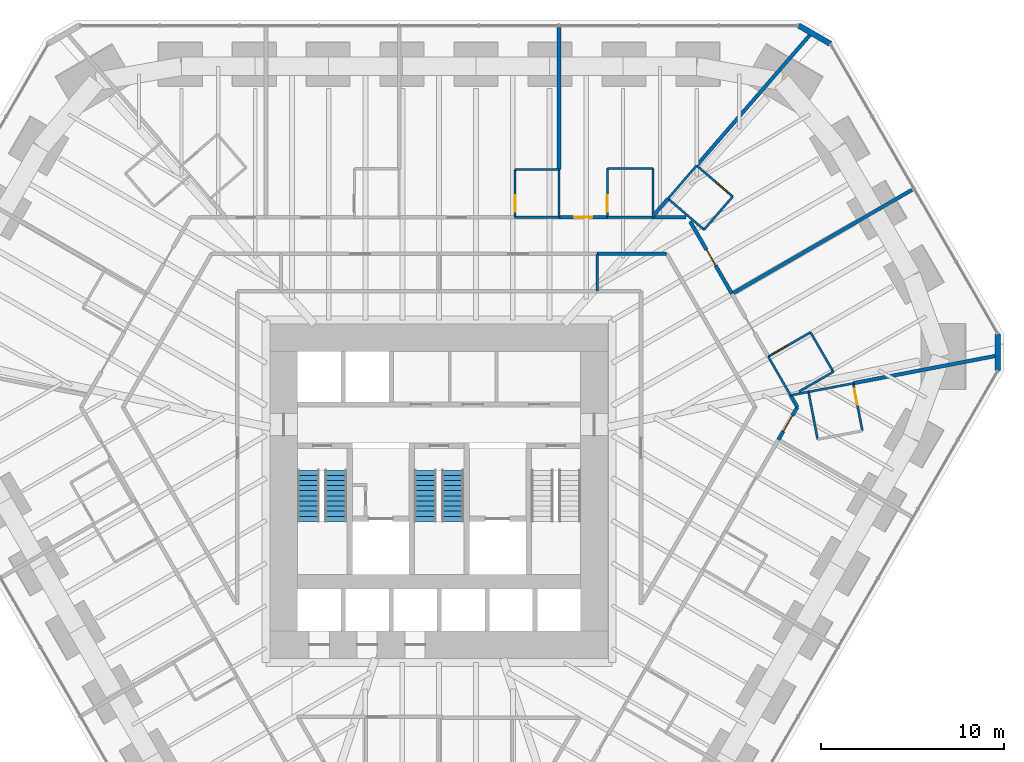
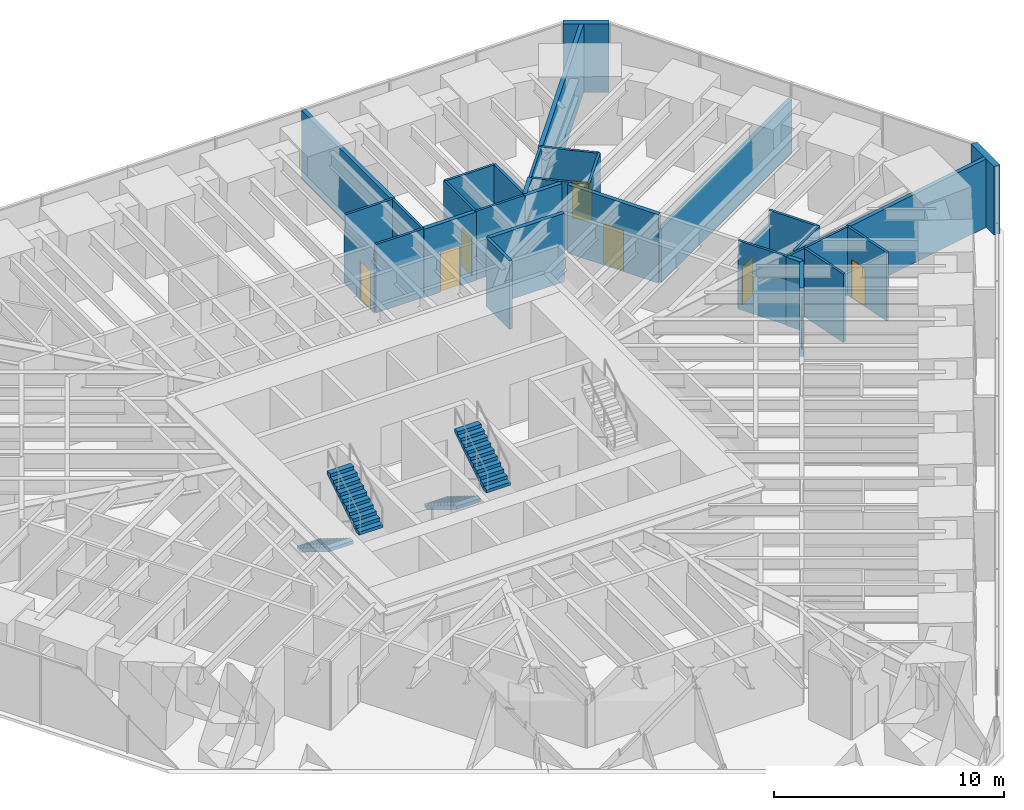
# One storey, part 15 of 17: 34 walls, 8 doors, 4 stair flights, 8 openings, 2 elements without a shape of their own.
"""IFC4 building model written with IfcOpenShell, lengths in metres."""

from ifc_helpers import new_model, si_unit, direction, frame, frame_2d, origin, place, context, subcontext, project, spatial, polyline, rectangle, outline, extrude, material, layer, layer_set, type_object, element, fill, aggregate, save


model = new_model("IFC4")

# Units and contexts
model_context = context("Model", 3, precision=1e-05, world=origin(), true_north=direction((0.0, 1.0)))
body_context = subcontext(model_context, "Body", "Model", "MODEL_VIEW")
ifc_project = project(units=[si_unit("LENGTHUNIT", "METRE"), si_unit("AREAUNIT", "SQUARE_METRE"), si_unit("VOLUMEUNIT", "CUBIC_METRE"), si_unit("PLANEANGLEUNIT", "RADIAN"), si_unit("MASSUNIT", "GRAM", prefix="KILO")], contexts=[model_context])

# Site, building, storey
site_placement = place(None, origin())
site = spatial("IfcSite", under=ifc_project, at=site_placement, CompositionType="ELEMENT")
building_placement = place(site_placement, origin())
building = spatial("IfcBuilding", under=site, at=building_placement, Name="Sandreach Pilgrim Tower", CompositionType="ELEMENT")
storey_placement = place(building_placement, frame((0.0, 0.0, 80.0)))
storey = spatial("IfcBuildingStorey", under=building, at=storey_placement, Name="L19", CompositionType="ELEMENT", Elevation=80.0)

# Wall
ifc_material_1 = material(Name="Gypsum board on steel studs", Category="steel")
ifc_layer_1 = layer(ifc_material_1, 0.14990234375)
ifc_layer_set_1 = layer_set([ifc_layer_1], Name="Back of house wall 150")
wall_type_1 = type_object("IfcWallType", Name="Back of house wall 150", PredefinedType="PARTITIONING", material=ifc_layer_set_1)
wall_1_placement = place(storey_placement, frame((8.64990234375, 11.449951171875, 0.0), z_axis=(0.0, 0.0, 1.0), x_axis=(0.0, -1.0, 0.0)))
element("IfcWall", 1, at=wall_1_placement, inside=storey, type_object=wall_type_1, Name="Back of house wall L19-103", PredefinedType="PARTITIONING", context=body_context, shape_type="SweptSolid", body=[
    extrude(rectangle(XDim=2.050048828125, YDim=0.14990234375, at=frame_2d((1.02490234375, 0.0))), origin(), (0.0, 0.0, 1.0), 3.639892578125),
])

# Wall, opening, door
ifc_material_2 = material(Name="Moisture-resistant gypsum board on steel studs", Category="steel")
ifc_layer_2 = layer(ifc_material_2, 0.1201171875)
ifc_layer_set_2 = layer_set([ifc_layer_2], Name="Bathroom partition 120")
wall_type_2 = type_object("IfcWallType", Name="Bathroom partition 120", PredefinedType="PARTITIONING", material=ifc_layer_set_2)
wall_2_placement = place(storey_placement, frame((4.159912109375, 16.070068359375, 0.0), z_axis=(0.0, 0.0, 1.0), x_axis=(0.0, -1.0, 0.0)))
wall_2 = element("IfcWall", 2, at=wall_2_placement, inside=storey, type_object=wall_type_2, Name="Bathroom partition L19-085", PredefinedType="PARTITIONING", context=body_context, shape_type="SweptSolid", body=[
    extrude(rectangle(XDim=2.6201171875, YDim=0.1201171875, at=frame_2d((1.31005859375, 0.0))), origin(), (0.0, 0.0, 1.0), 2.8779296875),
])
opening_1_placement = place(wall_2_placement, frame((1.419921875, 0.0, 0.0)))
opening_1 = element("IfcOpeningElement", 3, at=opening_1_placement, cuts=wall_2, Name="Opening D09-03B", PredefinedType="OPENING", context=body_context, shape_type="SweptSolid", body=[
    extrude(rectangle(XDim=0.89990234375, YDim=2.030029296875, at=frame_2d((0.449951171875, 1.01513671875))), frame((0.0, 0.06005859375, 0.0), z_axis=(0.0, -1.0, 0.0), x_axis=(1.0, 0.0, 0.0)), (0.0, 0.0, 1.0), 0.1201171875),
])
ifc_material_3 = material(Name="Timber door, steel frame", Category="steel")
door_type_1 = type_object("IfcDoorType", Name="Bathroom door", OperationType="SINGLE_SWING_LEFT", PredefinedType="DOOR", material=ifc_material_3)
door_1_placement = place(opening_1_placement, origin())
door_1 = element("IfcDoor", 4, at=door_1_placement, inside=storey, type_object=door_type_1, Name="Door 1903B", OperationType="SINGLE_SWING_RIGHT", OverallHeight=2.030029296875, OverallWidth=0.89990234375, PredefinedType="DOOR", context=body_context, shape_type="SweptSolid", body=[
    extrude(rectangle(XDim=0.89990234375, YDim=2.030029296875, at=frame_2d((0.449951171875, 1.01513671875))), frame((0.0, 0.02490234375, 0.0), z_axis=(0.0, -1.0, 0.0), x_axis=(1.0, 0.0, 0.0)), (0.0, 0.0, 1.0), 0.050048828125),
])
fill(opening_1, door_1)

# Walls
for number, where, z_axis, x_axis, name in (
    (5, (6.56005859375, 13.449951171875, 0.0), (0.0, 0.0, 1.0), (-1.0, 0.0, 0.0), "Bathroom partition L19-090"),
    (6, (6.56005859375, 16.070068359375, 0.0), (0.0, 0.0, 1.0), (-1.0, 0.0, 0.0), "Bathroom partition L19-091"),
):
    element("IfcWall", number, at=place(storey_placement, frame(where, z_axis=z_axis, x_axis=x_axis)), inside=storey, type_object=wall_type_2, Name=name, PredefinedType="PARTITIONING", context=body_context, shape_type="SweptSolid", body=[
        extrude(rectangle(XDim=2.400146484375, YDim=0.1201171875, at=frame_2d((1.2001953125, 0.0))), origin(), (0.0, 0.0, 1.0), 3.639892578125),
    ])
wall_3_placement = place(storey_placement, frame((6.56005859375, 16.070068359375, 0.0), z_axis=(0.0, 0.0, 1.0), x_axis=(0.0, -1.0, 0.0)))
element("IfcWall", 7, at=wall_3_placement, inside=storey, type_object=wall_type_2, Name="Bathroom partition L19-092", PredefinedType="PARTITIONING", context=body_context, shape_type="SweptSolid", body=[
    extrude(rectangle(XDim=2.6201171875, YDim=0.1201171875, at=frame_2d((1.31005859375, 0.0))), origin(), (0.0, 0.0, 1.0), 3.639892578125),
])

# Wall, opening, door
wall_4_placement = place(storey_placement, frame((9.2099609375, 16.1201171875, 0.0), z_axis=(0.0, 0.0, 1.0), x_axis=(0.0, -1.0, 0.0)))
wall_4 = element("IfcWall", 8, at=wall_4_placement, inside=storey, type_object=wall_type_2, Name="Bathroom partition L19-107", PredefinedType="PARTITIONING", context=body_context, shape_type="SweptSolid", body=[
    extrude(rectangle(XDim=2.670166015625, YDim=0.1201171875, at=frame_2d((1.3349609375, 0.0))), origin(), (0.0, 0.0, 1.0), 3.639892578125),
])
opening_2_placement = place(wall_4_placement, frame((1.469970703125, 0.0, 0.0)))
opening_2 = element("IfcOpeningElement", 9, at=opening_2_placement, cuts=wall_4, Name="Opening D09-04B", PredefinedType="OPENING", context=body_context, shape_type="SweptSolid", body=[
    extrude(rectangle(XDim=0.89990234375, YDim=2.030029296875, at=frame_2d((0.449951171875, 1.01513671875))), frame((0.0, 0.06005859375, 0.0), z_axis=(0.0, -1.0, 0.0), x_axis=(1.0, 0.0, 0.0)), (0.0, 0.0, 1.0), 0.1201171875),
])
door_2_placement = place(opening_2_placement, origin())
door_2 = element("IfcDoor", 10, at=door_2_placement, inside=storey, type_object=door_type_1, Name="Door 1904B", OperationType="SINGLE_SWING_RIGHT", OverallHeight=2.030029296875, OverallWidth=0.89990234375, PredefinedType="DOOR", context=body_context, shape_type="SweptSolid", body=[
    extrude(rectangle(XDim=0.89990234375, YDim=2.030029296875, at=frame_2d((0.449951171875, 1.01513671875))), frame((0.0, 0.02490234375, 0.0), z_axis=(0.0, -1.0, 0.0), x_axis=(1.0, 0.0, 0.0)), (0.0, 0.0, 1.0), 0.050048828125),
])
fill(opening_2, door_2)

# Walls
wall_5_placement = place(storey_placement, frame((11.64990234375, 13.449951171875, 0.0), z_axis=(0.0, 0.0, 1.0), x_axis=(-1.0, 0.0, 0.0)))
element("IfcWall", 11, at=wall_5_placement, inside=storey, type_object=wall_type_2, Name="Bathroom partition L19-114", PredefinedType="PARTITIONING", context=body_context, shape_type="SweptSolid", body=[
    extrude(rectangle(XDim=2.43994140625, YDim=0.1201171875, at=frame_2d((1.219970703125, 0.0))), origin(), (0.0, 0.0, 1.0), 3.639892578125),
])
wall_6_placement = place(storey_placement, frame((11.7099609375, 13.60498046875, 0.0), z_axis=(0.0, 0.0, 1.0), x_axis=(0.0, 1.0, 0.0)))
element("IfcWall", 12, at=wall_6_placement, inside=storey, type_object=wall_type_2, Name="Bathroom partition L19-115", PredefinedType="PARTITIONING", context=body_context, shape_type="SweptSolid", body=[
    extrude(rectangle(XDim=2.51513671875, YDim=0.1201171875, at=frame_2d((1.257568359375, 0.0))), origin(), (0.0, 0.0, 1.0), 3.639892578125),
])
wall_7_placement = place(storey_placement, frame((11.7099609375, 16.1201171875, 0.0), z_axis=(0.0, 0.0, 1.0), x_axis=(-1.0, 0.0, 0.0)))
element("IfcWall", 13, at=wall_7_placement, inside=storey, type_object=wall_type_2, Name="Bathroom partition L19-116", PredefinedType="PARTITIONING", context=body_context, shape_type="SweptSolid", body=[
    extrude(rectangle(XDim=2.5, YDim=0.1201171875, at=frame_2d((1.25, 0.0))), origin(), (0.0, 0.0, 1.0), 3.639892578125),
])
wall_8_placement = place(storey_placement, frame((12.530029296875, 14.469970703125, 0.0), z_axis=(0.0, 0.0, 1.0), x_axis=(0.655194291402, 0.755460416245, 0.0)))
element("IfcWall", 14, at=wall_8_placement, inside=storey, type_object=wall_type_2, Name="Bathroom partition L19-120", PredefinedType="PARTITIONING", context=body_context, shape_type="SweptSolid", body=[
    extrude(rectangle(XDim=2.39599609375, YDim=0.1201171875, at=frame_2d((1.197998046875, 0.0))), origin(), (0.0, 0.0, 1.0), 3.639892578125),
])
wall_9_placement = place(storey_placement, frame((12.530029296875, 14.469970703125, 0.0), z_axis=(0.0, 0.0, 1.0), x_axis=(0.757086659925, -0.653314464377, 0.0)))
element("IfcWall", 15, at=wall_9_placement, inside=storey, type_object=wall_type_2, Name="Bathroom partition L19-121", PredefinedType="PARTITIONING", context=body_context, shape_type="SweptSolid", body=[
    extrude(rectangle(XDim=2.60205078125, YDim=0.1201171875, at=frame_2d((1.301025390625, 0.0))), origin(), (0.0, 0.0, 1.0), 3.639892578125),
])
wall_10_placement = place(storey_placement, frame((14.5, 12.77001953125, 0.0), z_axis=(0.0, 0.0, 1.0), x_axis=(0.655252439976, 0.755409981338, 0.0)))
element("IfcWall", 16, at=wall_10_placement, inside=storey, type_object=wall_type_2, Name="Bathroom partition L19-127", PredefinedType="PARTITIONING", context=body_context, shape_type="SweptSolid", body=[
    extrude(rectangle(XDim=2.396240234375, YDim=0.1201171875, at=frame_2d((1.1982421875, 0.0))), origin(), (0.0, 0.0, 1.0), 3.639892578125),
])

# Wall, opening, door
wall_11_placement = place(storey_placement, frame((16.070068359375, 14.580078125, 0.0), z_axis=(0.0, 0.0, 1.0), x_axis=(-0.757086659925, 0.653314464377, 0.0)))
wall_11 = element("IfcWall", 17, at=wall_11_placement, inside=storey, type_object=wall_type_2, Name="Bathroom partition L19-131", PredefinedType="PARTITIONING", context=body_context, shape_type="SweptSolid", body=[
    extrude(rectangle(XDim=2.60205078125, YDim=0.1201171875, at=frame_2d((1.301025390625, 0.0))), origin(), (0.0, 0.0, 1.0), 3.639892578125),
])
opening_3_placement = place(wall_11_placement, frame((0.300048828125, 0.0, 0.0)))
opening_3 = element("IfcOpeningElement", 18, at=opening_3_placement, cuts=wall_11, Name="Opening D09-05B", PredefinedType="OPENING", context=body_context, shape_type="SweptSolid", body=[
    extrude(rectangle(XDim=0.89990234375, YDim=2.030029296875, at=frame_2d((0.449951171875, 1.01513671875))), frame((0.0, 0.06005859375, 0.0), z_axis=(0.0, -1.0, 0.0), x_axis=(1.0, 0.0, 0.0)), (0.0, 0.0, 1.0), 0.1201171875),
])
door_3_placement = place(opening_3_placement, origin())
door_3 = element("IfcDoor", 19, at=door_3_placement, inside=storey, type_object=door_type_1, Name="Door 1905B", OperationType="SINGLE_SWING_LEFT", OverallHeight=2.030029296875, OverallWidth=0.89990234375, PredefinedType="DOOR", context=body_context, shape_type="SweptSolid", body=[
    extrude(rectangle(XDim=0.89990234375, YDim=2.030029296875, at=frame_2d((0.449951171875, 1.01513671875))), frame((0.0, 0.02490234375, 0.0), z_axis=(0.0, -1.0, 0.0), x_axis=(1.0, 0.0, 0.0)), (0.0, 0.0, 1.0), 0.050048828125),
])
fill(opening_3, door_3)

# Walls
wall_12_placement = place(storey_placement, frame((18.017578125, 5.818603515625, 0.0), z_axis=(0.0, 0.0, 1.0), x_axis=(0.499757016066, -0.866165645181, 0.0)))
element("IfcWall", 20, at=wall_12_placement, inside=storey, type_object=wall_type_2, Name="Bathroom partition L19-137", PredefinedType="PARTITIONING", context=body_context, shape_type="SweptSolid", body=[
    extrude(rectangle(XDim=2.446044921875, YDim=0.1201171875, at=frame_2d((1.22314453125, 0.0))), origin(), (0.0, 0.0, 1.0), 3.639892578125),
])
wall_13_placement = place(storey_placement, frame((19.2744140625, 3.706787109375, 0.0), z_axis=(0.0, 0.0, 1.0), x_axis=(0.980619649475, 0.195921165429, 0.0)))
element("IfcWall", 21, at=wall_13_placement, inside=storey, type_object=wall_type_2, Name="Bathroom partition L19-140", PredefinedType="PARTITIONING", context=body_context, shape_type="SweptSolid", body=[
    extrude(rectangle(XDim=0.963134765625, YDim=0.1201171875, at=frame_2d((0.4814453125, 0.0))), origin(), (0.0, 0.0, 1.0), 3.639892578125),
])
wall_14_placement = place(storey_placement, frame((19.708984375, 3.912109375, 0.0), z_axis=(0.0, 0.0, 1.0), x_axis=(0.86650539461, 0.499167708403, 0.0)))
element("IfcWall", 22, at=wall_14_placement, inside=storey, type_object=wall_type_2, Name="Bathroom partition L19-141", PredefinedType="PARTITIONING", context=body_context, shape_type="SweptSolid", body=[
    extrude(rectangle(XDim=2.159423828125, YDim=0.1201171875, at=frame_2d((1.07958984375, 0.0))), origin(), (0.0, 0.0, 1.0), 3.639892578125),
])
wall_15_placement = place(storey_placement, frame((20.219970703125, 3.889892578125, 0.0), z_axis=(0.0, 0.0, 1.0), x_axis=(0.18885765444, -0.982004473696, 0.0)))
element("IfcWall", 23, at=wall_15_placement, inside=storey, type_object=wall_type_2, Name="Bathroom partition L19-142", PredefinedType="PARTITIONING", context=body_context, shape_type="SweptSolid", body=[
    extrude(rectangle(XDim=2.6474609375, YDim=0.1201171875, at=frame_2d((1.32373046875, 0.0))), origin(), (0.0, 0.0, 1.0), 3.639892578125),
])
wall_16_placement = place(storey_placement, frame((20.219970703125, 3.889892578125, 0.0), z_axis=(0.0, 0.0, 1.0), x_axis=(0.982075487059, 0.1884880307, 0.0)))
element("IfcWall", 24, at=wall_16_placement, inside=storey, type_object=wall_type_2, Name="Bathroom partition L19-143", PredefinedType="PARTITIONING", context=body_context, shape_type="SweptSolid", body=[
    extrude(rectangle(XDim=2.49462890625, YDim=0.1201171875, at=frame_2d((1.247314453125, 0.0))), origin(), (0.0, 0.0, 1.0), 3.639892578125),
])

# Wall, opening, door
wall_17_placement = place(storey_placement, frame((20.330078125, 7.14990234375, 0.0), z_axis=(0.0, 0.0, 1.0), x_axis=(-0.866654860089, -0.498908161372, 0.0)))
wall_17 = element("IfcWall", 25, at=wall_17_placement, inside=storey, type_object=wall_type_2, Name="Bathroom partition L19-144", PredefinedType="PARTITIONING", context=body_context, shape_type="SweptSolid", body=[
    extrude(rectangle(XDim=2.66552734375, YDim=0.1201171875, at=frame_2d((1.332763671875, 0.0))), origin(), (0.0, 0.0, 1.0), 2.8779296875),
])
opening_4_placement = place(wall_17_placement, frame((1.465576171875, 0.0, 0.0)))
opening_4 = element("IfcOpeningElement", 26, at=opening_4_placement, cuts=wall_17, Name="Opening D09-06B", PredefinedType="OPENING", context=body_context, shape_type="SweptSolid", body=[
    extrude(rectangle(XDim=0.89990234375, YDim=2.030029296875, at=frame_2d((0.449951171875, 1.01513671875))), frame((0.0, 0.06005859375, 0.0), z_axis=(0.0, -1.0, 0.0), x_axis=(1.0, 0.0, 0.0)), (0.0, 0.0, 1.0), 0.1201171875),
])
door_4_placement = place(opening_4_placement, origin())
door_4 = element("IfcDoor", 27, at=door_4_placement, inside=storey, type_object=door_type_1, Name="Door 1906B", OperationType="SINGLE_SWING_RIGHT", OverallHeight=2.030029296875, OverallWidth=0.89990234375, PredefinedType="DOOR", context=body_context, shape_type="SweptSolid", body=[
    extrude(rectangle(XDim=0.89990234375, YDim=2.030029296875, at=frame_2d((0.449951171875, 1.01513671875))), frame((0.0, 0.02490234375, 0.0), z_axis=(0.0, -1.0, 0.0), x_axis=(1.0, 0.0, 0.0)), (0.0, 0.0, 1.0), 0.050048828125),
])
fill(opening_4, door_4)

# Wall
wall_18_placement = place(storey_placement, frame((21.580078125, 4.989990234375, 0.0), z_axis=(0.0, 0.0, 1.0), x_axis=(-0.500893576935, 0.865508881864, 0.0)))
element("IfcWall", 28, at=wall_18_placement, inside=storey, type_object=wall_type_2, Name="Bathroom partition L19-146", PredefinedType="PARTITIONING", context=body_context, shape_type="SweptSolid", body=[
    extrude(rectangle(XDim=2.49560546875, YDim=0.1201171875, at=frame_2d((1.247802734375, 0.0))), origin(), (0.0, 0.0, 1.0), 3.639892578125),
])

# Wall, opening, door
wall_19_placement = place(storey_placement, frame((23.169921875, 1.760009765625, 0.0), z_axis=(0.0, 0.0, 1.0), x_axis=(-0.18885765444, 0.982004473696, 0.0)))
wall_19 = element("IfcWall", 29, at=wall_19_placement, inside=storey, type_object=wall_type_2, Name="Bathroom partition L19-148", PredefinedType="PARTITIONING", context=body_context, shape_type="SweptSolid", body=[
    extrude(rectangle(XDim=2.6474609375, YDim=0.1201171875, at=frame_2d((1.32373046875, 0.0))), origin(), (0.0, 0.0, 1.0), 3.639892578125),
])
opening_5_placement = place(wall_19_placement, frame((1.447509765625, 0.0, 0.0)))
opening_5 = element("IfcOpeningElement", 30, at=opening_5_placement, cuts=wall_19, Name="Opening D09-07B", PredefinedType="OPENING", context=body_context, shape_type="SweptSolid", body=[
    extrude(rectangle(XDim=0.89990234375, YDim=2.030029296875, at=frame_2d((0.449951171875, 1.01513671875))), frame((0.0, 0.06005859375, 0.0), z_axis=(0.0, -1.0, 0.0), x_axis=(1.0, 0.0, 0.0)), (0.0, 0.0, 1.0), 0.1201171875),
])
door_5_placement = place(opening_5_placement, origin())
door_5 = element("IfcDoor", 31, at=door_5_placement, inside=storey, type_object=door_type_1, Name="Door 1907B", OperationType="SINGLE_SWING_RIGHT", OverallHeight=2.030029296875, OverallWidth=0.89990234375, PredefinedType="DOOR", context=body_context, shape_type="SweptSolid", body=[
    extrude(rectangle(XDim=0.89990234375, YDim=2.030029296875, at=frame_2d((0.449951171875, 1.01513671875))), frame((0.0, 0.02490234375, 0.0), z_axis=(0.0, -1.0, 0.0), x_axis=(1.0, 0.0, 0.0)), (0.0, 0.0, 1.0), 0.050048828125),
])
fill(opening_5, door_5)

# Wall
ifc_material_4 = material(Name="Gypsum board on steel studs, two layers each side", Category="steel")
ifc_layer_3 = layer(ifc_material_4, 0.199951171875)
ifc_layer_set_3 = layer_set([ifc_layer_3], Name="Corridor wall 200")
wall_type_3 = type_object("IfcWallType", Name="Corridor wall 200", PredefinedType="PARTITIONING", material=ifc_layer_set_3)
wall_20_placement = place(storey_placement, frame((8.64990234375, 11.449951171875, 0.0), z_axis=(0.0, 0.0, 1.0), x_axis=(1.0, 0.0, 0.0)))
element("IfcWall", 32, at=wall_20_placement, inside=storey, type_object=wall_type_3, Name="Corridor wall L19-104", PredefinedType="PARTITIONING", context=body_context, shape_type="SweptSolid", body=[
    extrude(rectangle(XDim=3.81005859375, YDim=0.199951171875, at=frame_2d((1.905029296875, 0.0))), origin(), (0.0, 0.0, 1.0), 3.639892578125),
])

# Wall, opening, door
wall_21_placement = place(storey_placement, frame((9.2099609375, 13.449951171875, 0.0), z_axis=(0.0, 0.0, 1.0), x_axis=(-1.0, 0.0, 0.0)))
wall_21 = element("IfcWall", 33, at=wall_21_placement, inside=storey, type_object=wall_type_3, Name="Corridor wall L19-106", PredefinedType="PARTITIONING", context=body_context, shape_type="SweptSolid", body=[
    extrude(rectangle(XDim=2.64990234375, YDim=0.199951171875, at=frame_2d((1.324951171875, 0.0))), origin(), (0.0, 0.0, 1.0), 3.639892578125),
])
opening_6_placement = place(wall_21_placement, frame((0.824951171875, 0.0, 0.0)))
opening_6 = element("IfcOpeningElement", 34, at=opening_6_placement, cuts=wall_21, Name="Opening D10-04", PredefinedType="OPENING", context=body_context, shape_type="SweptSolid", body=[
    extrude(rectangle(XDim=1.0, YDim=2.1298828125, at=frame_2d((0.5, 1.06494140625))), frame((0.0, 0.10009765625, 0.0), z_axis=(0.0, -1.0, 0.0), x_axis=(1.0, 0.0, 0.0)), (0.0, 0.0, 1.0), 0.199951171875),
])
ifc_material_5 = material(Name="Steel door and frame", Category="steel")
door_type_2 = type_object("IfcDoorType", Name="Guest room entry door", OperationType="SINGLE_SWING_LEFT", PredefinedType="DOOR", material=ifc_material_5)
door_6_placement = place(opening_6_placement, origin())
door_6 = element("IfcDoor", 35, at=door_6_placement, inside=storey, type_object=door_type_2, Name="Door 1904", OperationType="SINGLE_SWING_LEFT", OverallHeight=2.1298828125, OverallWidth=1.0, PredefinedType="DOOR", context=body_context, shape_type="SweptSolid", body=[
    extrude(rectangle(XDim=1.0, YDim=2.1298828125, at=frame_2d((0.5, 1.06494140625))), frame((0.0, 0.02490234375, 0.0), z_axis=(0.0, -1.0, 0.0), x_axis=(1.0, 0.0, 0.0)), (0.0, 0.0, 1.0), 0.050048828125),
])
fill(opening_6, door_6)

# Wall
wall_22_placement = place(storey_placement, frame((13.5048828125, 13.449951171875, 0.0), z_axis=(0.0, 0.0, 1.0), x_axis=(-1.0, 0.0, 0.0)))
element("IfcWall", 36, at=wall_22_placement, inside=storey, type_object=wall_type_3, Name="Corridor wall L19-122", PredefinedType="PARTITIONING", context=body_context, shape_type="SweptSolid", body=[
    extrude(rectangle(XDim=1.85498046875, YDim=0.199951171875, at=frame_2d((0.927490234375, 0.0))), origin(), (0.0, 0.0, 1.0), 3.639892578125),
])

# Wall, opening, door
wall_23_placement = place(storey_placement, frame((13.742431640625, 13.220458984375, 0.0), z_axis=(0.0, 0.0, 1.0), x_axis=(0.500169095125, -0.865927754655, 0.0)))
wall_23 = element("IfcWall", 37, at=wall_23_placement, inside=storey, type_object=wall_type_3, Name="Corridor wall L19-124", PredefinedType="PARTITIONING", context=body_context, shape_type="SweptSolid", body=[
    extrude(rectangle(XDim=4.57373046875, YDim=0.199951171875, at=frame_2d((2.286865234375, 0.0))), origin(), (0.0, 0.0, 1.0), 3.639892578125),
])
opening_7_placement = place(wall_23_placement, frame((1.786865234375, 0.0, 0.0)))
opening_7 = element("IfcOpeningElement", 38, at=opening_7_placement, cuts=wall_23, Name="Opening D10-05", PredefinedType="OPENING", context=body_context, shape_type="SweptSolid", body=[
    extrude(rectangle(XDim=1.0, YDim=2.1298828125, at=frame_2d((0.5, 1.06494140625))), frame((0.0, 0.10009765625, 0.0), z_axis=(0.0, -1.0, 0.0), x_axis=(1.0, 0.0, 0.0)), (0.0, 0.0, 1.0), 0.199951171875),
])
door_7_placement = place(opening_7_placement, origin())
door_7 = element("IfcDoor", 39, at=door_7_placement, inside=storey, type_object=door_type_2, Name="Door 1905", OperationType="SINGLE_SWING_LEFT", OverallHeight=2.1298828125, OverallWidth=1.0, PredefinedType="DOOR", context=body_context, shape_type="SweptSolid", body=[
    extrude(rectangle(XDim=1.0, YDim=2.1298828125, at=frame_2d((0.5, 1.06494140625))), frame((0.0, 0.02490234375, 0.0), z_axis=(0.0, -1.0, 0.0), x_axis=(1.0, 0.0, 0.0)), (0.0, 0.0, 1.0), 0.050048828125),
])
fill(opening_7, door_7)

wall_24_placement = place(storey_placement, frame((18.570068359375, 1.27001953125, 0.0), z_axis=(0.0, 0.0, 1.0), x_axis=(0.502374475056, 0.864650152843, 0.0)))
wall_24 = element("IfcWall", 40, at=wall_24_placement, inside=storey, type_object=wall_type_3, Name="Corridor wall L19-138", PredefinedType="PARTITIONING", context=body_context, shape_type="SweptSolid", body=[
    extrude(rectangle(XDim=2.0703125, YDim=0.199951171875, at=frame_2d((1.03515625, 0.0))), origin(), (0.0, 0.0, 1.0), 3.639892578125),
])
opening_8_placement = place(wall_24_placement, frame((0.53515625, 0.0, 0.0)))
opening_8 = element("IfcOpeningElement", 41, at=opening_8_placement, cuts=wall_24, Name="Opening D10-07", PredefinedType="OPENING", context=body_context, shape_type="SweptSolid", body=[
    extrude(rectangle(XDim=1.0, YDim=2.1298828125, at=frame_2d((0.5, 1.06494140625))), frame((0.0, 0.10009765625, 0.0), z_axis=(0.0, -1.0, 0.0), x_axis=(1.0, 0.0, 0.0)), (0.0, 0.0, 1.0), 0.199951171875),
])
door_8_placement = place(opening_8_placement, origin())
door_8 = element("IfcDoor", 42, at=door_8_placement, inside=storey, type_object=door_type_2, Name="Door 1907", OperationType="SINGLE_SWING_LEFT", OverallHeight=2.1298828125, OverallWidth=1.0, PredefinedType="DOOR", context=body_context, shape_type="SweptSolid", body=[
    extrude(rectangle(XDim=1.0, YDim=2.1298828125, at=frame_2d((0.5, 1.06494140625))), frame((0.0, 0.02490234375, 0.0), z_axis=(0.0, -1.0, 0.0), x_axis=(1.0, 0.0, 0.0)), (0.0, 0.0, 1.0), 0.050048828125),
])
fill(opening_8, door_8)

# Walls
wall_25_placement = place(storey_placement, frame((19.239990234375, 3.699951171875, 0.0), z_axis=(0.0, 0.0, 1.0), x_axis=(0.50068472101, -0.865629718844, 0.0)))
element("IfcWall", 43, at=wall_25_placement, inside=storey, type_object=wall_type_3, Name="Corridor wall L19-139", PredefinedType="PARTITIONING", context=body_context, shape_type="SweptSolid", body=[
    extrude(rectangle(XDim=0.7392578125, YDim=0.199951171875, at=frame_2d((0.36962890625, 0.0))), origin(), (0.0, 0.0, 1.0), 3.639892578125),
])
ifc_material_6 = material(Name="Double steel stud acoustic wall, gypsum board", Category="steel")
ifc_layer_4 = layer(ifc_material_6, 0.199951171875)
ifc_layer_set_4 = layer_set([ifc_layer_4], Name="Party wall 200")
wall_type_4 = type_object("IfcWallType", Name="Party wall 200", PredefinedType="PARTITIONING", material=ifc_layer_set_4)
wall_26_placement = place(storey_placement, frame((6.56005859375, 23.830078125, 0.0), z_axis=(0.0, 0.0, 1.0), x_axis=(0.0, -1.0, 0.0)))
element("IfcWall", 44, at=wall_26_placement, inside=storey, type_object=wall_type_4, Name="Party wall L19-093", PredefinedType="PARTITIONING", context=body_context, shape_type="SweptSolid", body=[
    extrude(rectangle(XDim=7.760009765625, YDim=0.199951171875, at=frame_2d((3.8798828125, 0.0))), origin(), (0.0, 0.0, 1.0), 3.639892578125),
])
wall_27_placement = place(storey_placement, frame((11.715087890625, 13.525634765625, 0.0), z_axis=(0.0, 0.0, 1.0), x_axis=(0.653334457224, 0.757069406993, 0.0)))
element("IfcWall", 45, at=wall_27_placement, inside=storey, type_object=wall_type_4, Name="Party wall L19-117", PredefinedType="PARTITIONING", context=body_context, shape_type="SweptSolid", body=[
    extrude(rectangle(XDim=1.247314453125, YDim=0.199951171875, at=frame_2d((0.62353515625, 0.0))), origin(), (0.0, 0.0, 1.0), 3.639892578125),
])
wall_28_placement = place(storey_placement, frame((14.10009765625, 16.280029296875, 0.0), z_axis=(0.0, 0.0, 1.0), x_axis=(0.655045529498, 0.755589408531, 0.0)))
element("IfcWall", 46, at=wall_28_placement, inside=storey, type_object=wall_type_4, Name="Party wall L19-125", PredefinedType="PARTITIONING", context=body_context, shape_type="SweptSolid", body=[
    extrude(rectangle(XDim=9.6181640625, YDim=0.199951171875, at=frame_2d((4.80908203125, 0.0))), origin(), (0.0, 0.0, 1.0), 3.639892578125),
])
wall_29_placement = place(storey_placement, frame((22.6689453125, 4.365966796875, 0.0), z_axis=(0.0, 0.0, 1.0), x_axis=(0.982123058559, 0.188240000653, 0.0)))
element("IfcWall", 47, at=wall_29_placement, inside=storey, type_object=wall_type_4, Name="Party wall L19-147", PredefinedType="PARTITIONING", context=body_context, shape_type="SweptSolid", body=[
    extrude(rectangle(XDim=8.06591796875, YDim=0.199951171875, at=frame_2d((4.032958984375, 0.0))), origin(), (0.0, 0.0, 1.0), 3.639892578125),
])
wall_30_placement = place(storey_placement, frame((25.885986328125, 14.949951171875, 0.0), z_axis=(0.0, 0.0, 1.0), x_axis=(-0.86604429266, -0.499967282081, 0.0)))
element("IfcWall", 48, at=wall_30_placement, inside=storey, type_object=wall_type_4, Name="Party wall L19-149", PredefinedType="PARTITIONING", context=body_context, shape_type="SweptSolid", body=[
    extrude(rectangle(XDim=11.365478515625, YDim=0.199951171875, at=frame_2d((5.6826171875, 0.0))), origin(), (0.0, 0.0, 1.0), 2.860107421875),
])
ifc_material_7 = material(Name="Terracotta rainscreen on concrete", Category="masonry")
ifc_layer_5 = layer(ifc_material_7, 0.300048828125)
ifc_layer_set_5 = layer_set([ifc_layer_5], Name="Terracotta chamfer pier")
wall_type_5 = type_object("IfcWallType", Name="Terracotta chamfer pier", PredefinedType="SOLIDWALL", material=ifc_layer_set_5)
for number, where, z_axis, x_axis, name in (
    (49, (19.672119140625, 23.94873046875, 0.0), (0.0, 0.0, 1.0), (0.866010750942, -0.50002537861, 0.0), "Chamfer pier L19 N"),
    (50, (30.576171875, 7.062255859375, 0.0), (0.0, 0.0, 1.0), (0.0, -1.0, 0.0), "Chamfer pier L19 NE"),
):
    element("IfcWall", number, at=place(storey_placement, frame(where, z_axis=z_axis, x_axis=x_axis)), inside=storey, type_object=wall_type_5, Name=name, PredefinedType="SOLIDWALL", context=body_context, shape_type="SweptSolid", body=[
        extrude(rectangle(XDim=2.0, YDim=0.300048828125, at=frame_2d((1.0, 0.0))), origin(), (0.0, 0.0, 1.0), 3.639892578125),
    ])

# Stair, stair flights
ifc_material_8 = material(Name="Concrete 8000 psi", Category="concrete")
stair_type = type_object("IfcStairType", Name="Core exit stair", PredefinedType="HALF_TURN_STAIR", material=ifc_material_8)
stair_1_placement = place(storey_placement, origin())
stair_1 = element("IfcStair", 51, at=stair_1_placement, inside=storey, type_object=stair_type, Name="Exit stair ST1 L19", PredefinedType="HALF_TURN_STAIR")
ifc_material_9 = material(Name="Concrete 8000 psi", Category="concrete")
stair_flight_type = type_object("IfcStairFlightType", Name="Core stair flight 1200", PredefinedType="STRAIGHT", material=ifc_material_9)
stair_flight_1_placement = place(storey_placement, frame((-7.14990234375, -0.39990234375, 0.0), z_axis=(0.0, 0.0, 1.0), x_axis=(0.0, -1.0, 0.0)))
stair_flight_1 = element("IfcStairFlight", 52, at=stair_flight_1_placement, type_object=stair_flight_type, Name="ST1 flight 1", NumberOfRisers=11, NumberOfTreads=10, PredefinedType="STRAIGHT", RiserHeight=0.172727273, TreadLength=0.28, context=body_context, shape_type="SweptSolid", body=[
    extrude(outline(polyline([(0.0, 0.0), (0.0, 0.172607421875), (0.280029296875, 0.172607421875), (0.280029296875, 0.345458984375), (0.56005859375, 0.345458984375), (0.56005859375, 0.51806640625), (0.840087890625, 0.51806640625), (0.840087890625, 0.69091796875), (1.1201171875, 0.69091796875), (1.1201171875, 0.863525390625), (1.39990234375, 0.863525390625), (1.39990234375, 1.036376953125), (1.679931640625, 1.036376953125), (1.679931640625, 1.208984375), (1.9599609375, 1.208984375), (1.9599609375, 1.3818359375), (2.239990234375, 1.3818359375), (2.239990234375, 1.554443359375), (2.52001953125, 1.554443359375), (2.52001953125, 1.727294921875), (2.800048828125, 1.727294921875), (2.800048828125, 1.89990234375), (2.800048828125, 1.551025390625), (0.285400390625, 0.0), (0.0, 0.0)])), frame((0.0, 0.60009765625, 0.0), z_axis=(0.0, -1.0, 0.0), x_axis=(1.0, 0.0, 0.0)), (0.0, 0.0, 1.0), 1.199951171875),
])
stair_flight_2_placement = place(storey_placement, frame((-5.64990234375, -3.199951171875, 1.89990234375), z_axis=(0.0, 0.0, 1.0), x_axis=(0.0, 1.0, 0.0)))
stair_flight_2 = element("IfcStairFlight", 53, at=stair_flight_2_placement, type_object=stair_flight_type, Name="ST1 flight 2", NumberOfRisers=11, NumberOfTreads=10, PredefinedType="STRAIGHT", RiserHeight=0.172727273, TreadLength=0.28, context=body_context, shape_type="SweptSolid", body=[
    extrude(outline(polyline([(0.0, 0.0), (0.0, 0.172607421875), (0.280029296875, 0.172607421875), (0.280029296875, 0.345458984375), (0.56005859375, 0.345458984375), (0.56005859375, 0.51806640625), (0.840087890625, 0.51806640625), (0.840087890625, 0.69091796875), (1.1201171875, 0.69091796875), (1.1201171875, 0.863525390625), (1.39990234375, 0.863525390625), (1.39990234375, 1.036376953125), (1.679931640625, 1.036376953125), (1.679931640625, 1.208984375), (1.9599609375, 1.208984375), (1.9599609375, 1.3818359375), (2.239990234375, 1.3818359375), (2.239990234375, 1.554443359375), (2.52001953125, 1.554443359375), (2.52001953125, 1.727294921875), (2.800048828125, 1.727294921875), (2.800048828125, 1.89990234375), (2.800048828125, 1.551025390625), (0.285400390625, 0.0), (0.0, 0.0)])), frame((0.0, 0.60009765625, 0.0), z_axis=(0.0, -1.0, 0.0), x_axis=(1.0, 0.0, 0.0)), (0.0, 0.0, 1.0), 1.199951171875),
])
aggregate(stair_1, [stair_flight_1, stair_flight_2])

stair_2_placement = place(storey_placement, origin())
stair_2 = element("IfcStair", 54, at=stair_2_placement, inside=storey, type_object=stair_type, Name="Exit stair ST3 L19", PredefinedType="HALF_TURN_STAIR")
stair_flight_3_placement = place(storey_placement, frame((-0.75, -0.39990234375, 0.0), z_axis=(0.0, 0.0, 1.0), x_axis=(0.0, -1.0, 0.0)))
stair_flight_3 = element("IfcStairFlight", 55, at=stair_flight_3_placement, type_object=stair_flight_type, Name="ST3 flight 1", NumberOfRisers=11, NumberOfTreads=10, PredefinedType="STRAIGHT", RiserHeight=0.172727273, TreadLength=0.28, context=body_context, shape_type="SweptSolid", body=[
    extrude(outline(polyline([(0.0, 0.0), (0.0, 0.172607421875), (0.280029296875, 0.172607421875), (0.280029296875, 0.345458984375), (0.56005859375, 0.345458984375), (0.56005859375, 0.51806640625), (0.840087890625, 0.51806640625), (0.840087890625, 0.69091796875), (1.1201171875, 0.69091796875), (1.1201171875, 0.863525390625), (1.39990234375, 0.863525390625), (1.39990234375, 1.036376953125), (1.679931640625, 1.036376953125), (1.679931640625, 1.208984375), (1.9599609375, 1.208984375), (1.9599609375, 1.3818359375), (2.239990234375, 1.3818359375), (2.239990234375, 1.554443359375), (2.52001953125, 1.554443359375), (2.52001953125, 1.727294921875), (2.800048828125, 1.727294921875), (2.800048828125, 1.89990234375), (2.800048828125, 1.551025390625), (0.285400390625, 0.0), (0.0, 0.0)])), frame((0.0, 0.60009765625, 0.0), z_axis=(0.0, -1.0, 0.0), x_axis=(1.0, 0.0, 0.0)), (0.0, 0.0, 1.0), 1.199951171875),
])
stair_flight_4_placement = place(storey_placement, frame((0.75, -3.199951171875, 1.89990234375), z_axis=(0.0, 0.0, 1.0), x_axis=(0.0, 1.0, 0.0)))
stair_flight_4 = element("IfcStairFlight", 56, at=stair_flight_4_placement, type_object=stair_flight_type, Name="ST3 flight 2", NumberOfRisers=11, NumberOfTreads=10, PredefinedType="STRAIGHT", RiserHeight=0.172727273, TreadLength=0.28, context=body_context, shape_type="SweptSolid", body=[
    extrude(outline(polyline([(0.0, 0.0), (0.0, 0.172607421875), (0.280029296875, 0.172607421875), (0.280029296875, 0.345458984375), (0.56005859375, 0.345458984375), (0.56005859375, 0.51806640625), (0.840087890625, 0.51806640625), (0.840087890625, 0.69091796875), (1.1201171875, 0.69091796875), (1.1201171875, 0.863525390625), (1.39990234375, 0.863525390625), (1.39990234375, 1.036376953125), (1.679931640625, 1.036376953125), (1.679931640625, 1.208984375), (1.9599609375, 1.208984375), (1.9599609375, 1.3818359375), (2.239990234375, 1.3818359375), (2.239990234375, 1.554443359375), (2.52001953125, 1.554443359375), (2.52001953125, 1.727294921875), (2.800048828125, 1.727294921875), (2.800048828125, 1.89990234375), (2.800048828125, 1.551025390625), (0.285400390625, 0.0), (0.0, 0.0)])), frame((0.0, 0.60009765625, 0.0), z_axis=(0.0, -1.0, 0.0), x_axis=(1.0, 0.0, 0.0)), (0.0, 0.0, 1.0), 1.199951171875),
])
aggregate(stair_2, [stair_flight_3, stair_flight_4])

save(model, "model.ifc")
